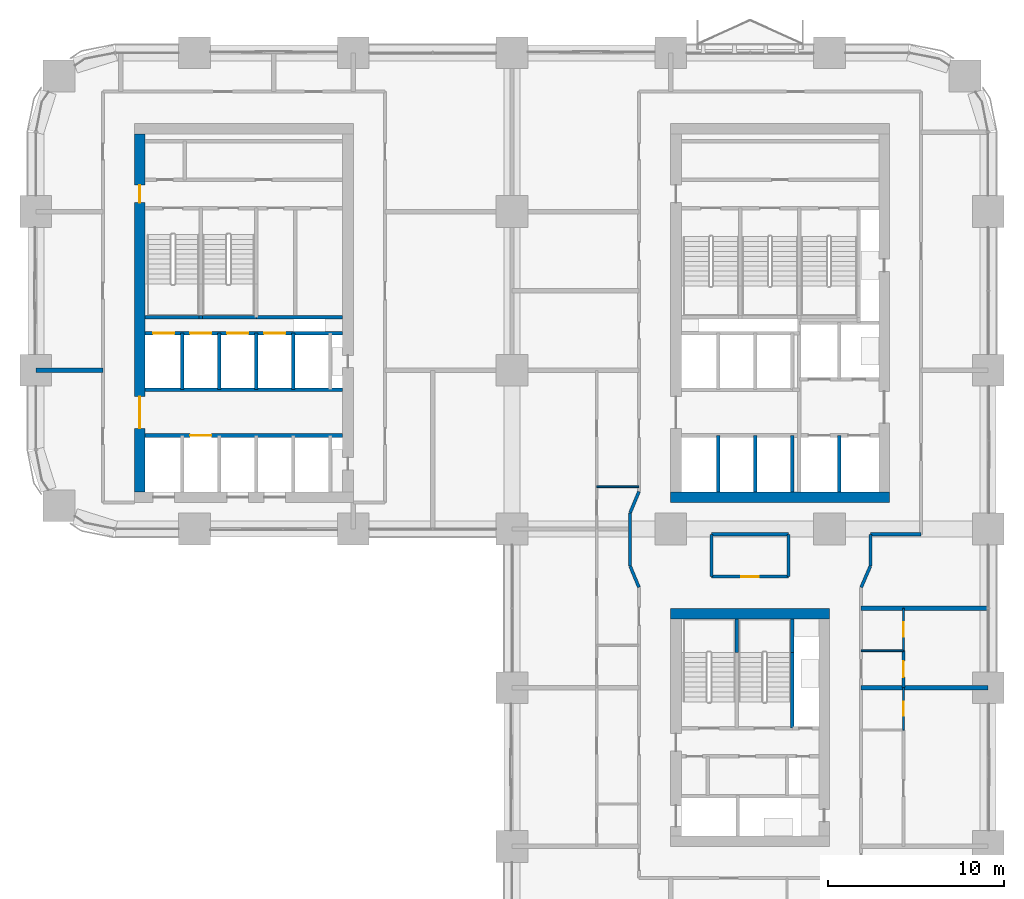
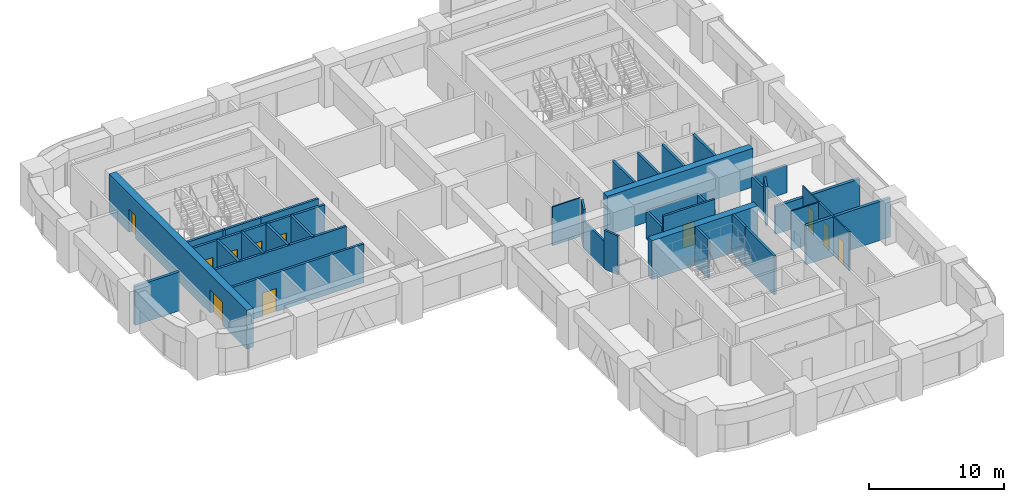
# One storey, part 13 of 26: 39 walls, 11 doors, 11 openings.
"""IFC4 building model written with IfcOpenShell, lengths in metres."""

from ifc_helpers import new_model, si_unit, direction, frame, frame_2d, origin, place, context, subcontext, project, spatial, rectangle, extrude, material, layer, layer_set, type_object, element, fill, save


model = new_model("IFC4")

# Units and contexts
model_context = context("Model", 3, precision=1e-05, world=origin(), true_north=direction((0.0, 1.0)))
body_context = subcontext(model_context, "Body", "Model", "MODEL_VIEW")
ifc_project = project(units=[si_unit("LENGTHUNIT", "METRE"), si_unit("AREAUNIT", "SQUARE_METRE"), si_unit("VOLUMEUNIT", "CUBIC_METRE"), si_unit("PLANEANGLEUNIT", "RADIAN"), si_unit("MASSUNIT", "GRAM", prefix="KILO")], contexts=[model_context])

# Site, building, storey
site_placement = place(None, origin())
site = spatial("IfcSite", under=ifc_project, at=site_placement, CompositionType="ELEMENT")
building_placement = place(site_placement, origin())
building = spatial("IfcBuilding", under=site, at=building_placement, Name="Tessera Arch", CompositionType="ELEMENT")
storey_placement = place(building_placement, frame((0.0, 0.0, 96.800048828125)))
storey = spatial("IfcBuildingStorey", under=building, at=storey_placement, Name="L22", CompositionType="ELEMENT", Elevation=96.800048828125)

# Wall
ifc_material_1 = material(Name="Concrete C70/85", Category="concrete")
ifc_layer_1 = layer(ifc_material_1, 0.60009765625)
ifc_layer_set_1 = layer_set([ifc_layer_1], Name="Core shell wall 600 C70-85")
wall_type_1 = type_object("IfcWallType", Name="Core shell wall 600 C70-85", PredefinedType="SHEAR", material=ifc_layer_set_1)
wall_1_placement = place(storey_placement, frame((36.0, 28.800048828125, 0.0), z_axis=(0.0, 0.0, 1.0), x_axis=(1.0, 0.0, 0.0)))
element("IfcWall", 1, at=wall_1_placement, inside=storey, type_object=wall_type_1, Name="L22 C1 core wall S", PredefinedType="SHEAR", context=body_context, shape_type="SweptSolid", body=[
    extrude(rectangle(XDim=12.39990234375, YDim=0.60009765625, at=frame_2d((6.199951171875, 0.0))), origin(), (0.0, 0.0, 1.0), 3.5),
])

# Wall, openings, doors
wall_2_placement = place(storey_placement, frame((5.89990234375, 29.10009765625, 0.0), z_axis=(0.0, 0.0, 1.0), x_axis=(0.0, 1.0, 0.0)))
wall_2 = element("IfcWall", 2, at=wall_2_placement, inside=storey, type_object=wall_type_1, Name="L22 C2 core wall W", PredefinedType="SHEAR", context=body_context, shape_type="SweptSolid", body=[
    extrude(rectangle(XDim=20.2998046875, YDim=0.60009765625, at=frame_2d((10.14990234375, 0.0))), origin(), (0.0, 0.0, 1.0), 3.5),
])
opening_1_placement = place(wall_2_placement, frame((3.60009765625, 0.0, 0.0)))
opening_1 = element("IfcOpeningElement", 3, at=opening_1_placement, cuts=wall_2, Name="Opening L22-C23", PredefinedType="OPENING", context=body_context, shape_type="SweptSolid", body=[
    extrude(rectangle(XDim=1.800048828125, YDim=2.10009765625, at=frame_2d((0.89990234375, 1.050048828125))), frame((0.0, 0.31005859375, 0.0), z_axis=(0.0, -1.0, 0.0), x_axis=(1.0, 0.0, 0.0)), (0.0, 0.0, 1.0), 0.6201171875),
])
opening_2_placement = place(wall_2_placement, frame((16.39990234375, 0.0, 0.0)))
opening_2 = element("IfcOpeningElement", 4, at=opening_2_placement, cuts=wall_2, Name="Opening L22-C26", PredefinedType="OPENING", context=body_context, shape_type="SweptSolid", body=[
    extrude(rectangle(XDim=1.0, YDim=2.10009765625, at=frame_2d((0.5, 1.050048828125))), frame((0.0, 0.31005859375, 0.0), z_axis=(0.0, -1.0, 0.0), x_axis=(1.0, 0.0, 0.0)), (0.0, 0.0, 1.0), 0.6201171875),
])
ifc_material_2 = material(Name="Steel door leaf", Category="steel")
door_type_1 = type_object("IfcDoorType", Name="Corridor door FD60 1000 x 2100", OperationType="SINGLE_SWING_LEFT", PredefinedType="DOOR", material=ifc_material_2)
door_1_placement = place(opening_2_placement, origin())
door_1 = element("IfcDoor", 5, at=door_1_placement, inside=storey, type_object=door_type_1, Name="L22 C2 door 14 C26 type D12", OperationType="SINGLE_SWING_RIGHT", OverallHeight=2.10009765625, OverallWidth=1.0, PredefinedType="DOOR", context=body_context, shape_type="SweptSolid", body=[
    extrude(rectangle(XDim=1.0, YDim=2.10009765625, at=frame_2d((0.5, 1.050048828125))), frame((0.0, 0.02490234375, 0.0), z_axis=(0.0, -1.0, 0.0), x_axis=(1.0, 0.0, 0.0)), (0.0, 0.0, 1.0), 0.050048828125),
])
fill(opening_2, door_1)
ifc_material_3 = material(Name="Glazed steel door leaf", Category="steel")
door_type_2 = type_object("IfcDoorType", Name="Lobby double door FD30S 1800 x 2100", OperationType="DOUBLE_DOOR_SINGLE_SWING", PredefinedType="DOOR", material=ifc_material_3)
door_2_placement = place(opening_1_placement, origin())
door_2 = element("IfcDoor", 6, at=door_2_placement, inside=storey, type_object=door_type_2, Name="L22 C2 door 11 C23 type D06", OperationType="DOUBLE_DOOR_SINGLE_SWING", OverallHeight=2.10009765625, OverallWidth=1.800048828125, PredefinedType="DOOR", context=body_context, shape_type="SweptSolid", body=[
    extrude(rectangle(XDim=1.800048828125, YDim=2.10009765625, at=frame_2d((0.89990234375, 1.050048828125))), frame((0.0, 0.02490234375, 0.0), z_axis=(0.0, -1.0, 0.0), x_axis=(1.0, 0.0, 0.0)), (0.0, 0.0, 1.0), 0.050048828125),
])
fill(opening_1, door_2)

# Wall
wall_3_placement = place(storey_placement, frame((36.0, 22.199951171875, 0.0), z_axis=(0.0, 0.0, 1.0), x_axis=(1.0, 0.0, 0.0)))
element("IfcWall", 7, at=wall_3_placement, inside=storey, type_object=wall_type_1, Name="L22 C3 core wall N", PredefinedType="SHEAR", context=body_context, shape_type="SweptSolid", body=[
    extrude(rectangle(XDim=9.0, YDim=0.60009765625, at=frame_2d((4.5, 0.0))), origin(), (0.0, 0.0, 1.0), 3.5),
])

# Wall, opening, door
ifc_material_4 = material(Name="Gypsum board on deep steel stud with mineral wool", Category="steel")
ifc_layer_2 = layer(ifc_material_4, 0.175048828125)
ifc_layer_set_2 = layer_set([ifc_layer_2], Name="Corridor wall 175 EI 60")
wall_type_2 = type_object("IfcWallType", Name="Corridor wall 175 EI 60", PredefinedType="PARTITIONING", material=ifc_layer_set_2)
wall_4_placement = place(storey_placement, frame((38.320068359375, 24.300048828125, 0.0), z_axis=(0.0, 0.0, 1.0), x_axis=(1.0, 0.0, 0.0)))
wall_4 = element("IfcWall", 8, at=wall_4_placement, inside=storey, type_object=wall_type_2, Name="L22 partition 2", PredefinedType="PARTITIONING", context=body_context, shape_type="SweptSolid", body=[
    extrude(rectangle(XDim=4.35986328125, YDim=0.175048828125, at=frame_2d((2.179931640625, 0.0))), origin(), (0.0, 0.0, 1.0), 3.5),
])
opening_3_placement = place(wall_4_placement, frame((1.679931640625, 0.0, 0.0)))
opening_3 = element("IfcOpeningElement", 9, at=opening_3_placement, cuts=wall_4, Name="Opening L22-D018", PredefinedType="OPENING", context=body_context, shape_type="SweptSolid", body=[
    extrude(rectangle(XDim=1.0, YDim=2.10009765625, at=frame_2d((0.5, 1.050048828125))), frame((0.0, 0.097412109375, 0.0), z_axis=(0.0, -1.0, 0.0), x_axis=(1.0, 0.0, 0.0)), (0.0, 0.0, 1.0), 0.195068359375),
])
ifc_material_5 = material(Name="Fire-rated door leaf")
door_type_3 = type_object("IfcDoorType", Name="Entrance door FD30S 1000 x 2100", OperationType="SINGLE_SWING_LEFT", PredefinedType="DOOR", material=ifc_material_5)
door_3_placement = place(opening_3_placement, origin())
door_3 = element("IfcDoor", 10, at=door_3_placement, inside=storey, type_object=door_type_3, Name="L22 door D018 type D03", OperationType="SINGLE_SWING_RIGHT", OverallHeight=2.10009765625, OverallWidth=1.0, PredefinedType="DOOR", context=body_context, shape_type="SweptSolid", body=[
    extrude(rectangle(XDim=1.0, YDim=2.10009765625, at=frame_2d((0.5, 1.050048828125))), frame((0.0, 0.02490234375, 0.0), z_axis=(0.0, -1.0, 0.0), x_axis=(1.0, 0.0, 0.0)), (0.0, 0.0, 1.0), 0.050048828125),
])
fill(opening_3, door_3)

# Walls
wall_5_placement = place(storey_placement, frame((38.320068359375, 26.699951171875, 0.0), z_axis=(0.0, 0.0, 1.0), x_axis=(1.0, 0.0, 0.0)))
element("IfcWall", 11, at=wall_5_placement, inside=storey, type_object=wall_type_2, Name="L22 partition 3", PredefinedType="PARTITIONING", context=body_context, shape_type="SweptSolid", body=[
    extrude(rectangle(XDim=4.35986328125, YDim=0.175048828125, at=frame_2d((2.179931640625, 0.0))), origin(), (0.0, 0.0, 1.0), 2.5),
])
wall_6_placement = place(storey_placement, frame((47.320068359375, 26.699951171875, 0.0), z_axis=(0.0, 0.0, 1.0), x_axis=(1.0, 0.0, 0.0)))
element("IfcWall", 12, at=wall_6_placement, inside=storey, type_object=wall_type_2, Name="L22 partition 4", PredefinedType="PARTITIONING", context=body_context, shape_type="SweptSolid", body=[
    extrude(rectangle(XDim=2.8798828125, YDim=0.175048828125, at=frame_2d((1.43994140625, 0.0))), origin(), (0.0, 0.0, 1.0), 2.5),
])
wall_7_placement = place(storey_placement, frame((33.699951171875, 24.889892578125, 0.0), z_axis=(0.0, 0.0, 1.0), x_axis=(0.0, 1.0, 0.0)))
element("IfcWall", 13, at=wall_7_placement, inside=storey, type_object=wall_type_2, Name="L22 partition 11", PredefinedType="PARTITIONING", context=body_context, shape_type="SweptSolid", body=[
    extrude(rectangle(XDim=3.030029296875, YDim=0.175048828125, at=frame_2d((1.51513671875, 0.0))), origin(), (0.0, 0.0, 1.0), 2.5),
])
for number, where, z_axis, x_axis, name in (
    (14, (38.320068359375, 24.300048828125, 0.0), (0.0, 0.0, 1.0), (0.0, 1.0, 0.0), "L22 partition 14"),
    (15, (42.679931640625, 24.300048828125, 0.0), (0.0, 0.0, 1.0), (0.0, 1.0, 0.0), "L22 partition 15"),
):
    element("IfcWall", number, at=place(storey_placement, frame(where, z_axis=z_axis, x_axis=x_axis)), inside=storey, type_object=wall_type_2, Name=name, PredefinedType="PARTITIONING", context=body_context, shape_type="SweptSolid", body=[
        extrude(rectangle(XDim=2.39990234375, YDim=0.175048828125, at=frame_2d((1.199951171875, 0.0))), origin(), (0.0, 0.0, 1.0), 2.5),
    ])
wall_8_placement = place(storey_placement, frame((47.320068359375, 24.889892578125, 0.0), z_axis=(0.0, 0.0, 1.0), x_axis=(0.0, 1.0, 0.0)))
element("IfcWall", 16, at=wall_8_placement, inside=storey, type_object=wall_type_2, Name="L22 partition 17", PredefinedType="PARTITIONING", context=body_context, shape_type="SweptSolid", body=[
    extrude(rectangle(XDim=1.81005859375, YDim=0.175048828125, at=frame_2d((0.905029296875, 0.0))), origin(), (0.0, 0.0, 1.0), 2.5),
])
wall_9_placement = place(storey_placement, frame((34.199951171875, 23.68994140625, 0.0), z_axis=(0.0, 0.0, 1.0), x_axis=(-0.384628719983, 0.923071366561, 0.0)))
element("IfcWall", 17, at=wall_9_placement, inside=storey, type_object=wall_type_2, Name="L22 partition 59", PredefinedType="PARTITIONING", context=body_context, shape_type="SweptSolid", body=[
    extrude(rectangle(XDim=1.300048828125, YDim=0.175048828125, at=frame_2d((0.64990234375, 0.0))), origin(), (0.0, 0.0, 1.0), 3.5),
])
wall_10_placement = place(storey_placement, frame((47.320068359375, 24.889892578125, 0.0), z_axis=(0.0, 0.0, 1.0), x_axis=(-0.397633632391, -0.917544273804, 0.0)))
element("IfcWall", 18, at=wall_10_placement, inside=storey, type_object=wall_type_2, Name="L22 partition 60", PredefinedType="PARTITIONING", context=body_context, shape_type="SweptSolid", body=[
    extrude(rectangle(XDim=1.307861328125, YDim=0.175048828125, at=frame_2d((0.65380859375, 0.0))), origin(), (0.0, 0.0, 1.0), 3.5),
])
wall_11_placement = place(storey_placement, frame((33.699951171875, 27.919921875, 0.0), z_axis=(0.0, 0.0, 1.0), x_axis=(0.384562051588, 0.923099143363, 0.0)))
element("IfcWall", 19, at=wall_11_placement, inside=storey, type_object=wall_type_2, Name="L22 partition 61", PredefinedType="PARTITIONING", context=body_context, shape_type="SweptSolid", body=[
    extrude(rectangle(XDim=1.30029296875, YDim=0.175048828125, at=frame_2d((0.650146484375, 0.0))), origin(), (0.0, 0.0, 1.0), 3.5),
])

# Wall, opening, door
ifc_material_6 = material(Name="Gypsum board on steel stud", Category="steel")
ifc_layer_3 = layer(ifc_material_6, 0.14990234375)
ifc_layer_set_3 = layer_set([ifc_layer_3], Name="Partition 150")
wall_type_3 = type_object("IfcWallType", Name="Partition 150", PredefinedType="PARTITIONING", material=ifc_layer_set_3)
wall_12_placement = place(storey_placement, frame((49.199951171875, 18.0, 0.0), z_axis=(0.0, 0.0, 1.0), x_axis=(0.0, 1.0, 0.0)))
wall_12 = element("IfcWall", 20, at=wall_12_placement, inside=storey, type_object=wall_type_3, Name="L22 partition 24", PredefinedType="PARTITIONING", context=body_context, shape_type="SweptSolid", body=[
    extrude(rectangle(XDim=2.10009765625, YDim=0.14990234375, at=frame_2d((1.050048828125, 0.0))), origin(), (0.0, 0.0, 1.0), 3.5),
])
opening_4_placement = place(wall_12_placement, frame((0.60009765625, 0.0, 0.0)))
opening_4 = element("IfcOpeningElement", 21, at=opening_4_placement, cuts=wall_12, Name="Opening L22-D013", PredefinedType="OPENING", context=body_context, shape_type="SweptSolid", body=[
    extrude(rectangle(XDim=0.89990234375, YDim=2.10009765625, at=frame_2d((0.449951171875, 1.050048828125))), frame((0.0, 0.0849609375, 0.0), z_axis=(0.0, -1.0, 0.0), x_axis=(1.0, 0.0, 0.0)), (0.0, 0.0, 1.0), 0.169921875),
])
ifc_material_7 = material(Name="Timber door leaf", Category="wood")
door_type_4 = type_object("IfcDoorType", Name="Room door 900 x 2100", OperationType="SINGLE_SWING_LEFT", PredefinedType="DOOR", material=ifc_material_7)
door_4_placement = place(opening_4_placement, origin())
door_4 = element("IfcDoor", 22, at=door_4_placement, inside=storey, type_object=door_type_4, Name="L22 door D013 type D01", OperationType="SINGLE_SWING_RIGHT", OverallHeight=2.10009765625, OverallWidth=0.89990234375, PredefinedType="DOOR", context=body_context, shape_type="SweptSolid", body=[
    extrude(rectangle(XDim=0.89990234375, YDim=2.10009765625, at=frame_2d((0.449951171875, 1.050048828125))), frame((0.0, 0.02490234375, 0.0), z_axis=(0.0, -1.0, 0.0), x_axis=(1.0, 0.0, 0.0)), (0.0, 0.0, 1.0), 0.050048828125),
])
fill(opening_4, door_4)

# Walls
ifc_material_8 = material(Name="Double gypsum board on twin steel stud with acoustic mineral wool", Category="steel")
ifc_layer_4 = layer(ifc_material_8, 0.25)
ifc_layer_set_4 = layer_set([ifc_layer_4], Name="Party wall 250 EI 60")
wall_type_4 = type_object("IfcWallType", Name="Party wall 250 EI 60", PredefinedType="PARTITIONING", material=ifc_layer_set_4)
wall_13_placement = place(storey_placement, frame((46.800048828125, 18.0, 0.0), z_axis=(0.0, 0.0, 1.0), x_axis=(1.0, 0.0, 0.0)))
element("IfcWall", 23, at=wall_13_placement, inside=storey, type_object=wall_type_4, Name="L22 partition 28", PredefinedType="PARTITIONING", context=body_context, shape_type="SweptSolid", body=[
    extrude(rectangle(XDim=7.199951171875, YDim=0.25, at=frame_2d((3.60009765625, 0.0))), origin(), (0.0, 0.0, 1.0), 3.5),
])
wall_14_placement = place(storey_placement, frame((46.800048828125, 22.5, 0.0), z_axis=(0.0, 0.0, 1.0), x_axis=(1.0, 0.0, 0.0)))
element("IfcWall", 24, at=wall_14_placement, inside=storey, type_object=wall_type_4, Name="L22 partition 29", PredefinedType="PARTITIONING", context=body_context, shape_type="SweptSolid", body=[
    extrude(rectangle(XDim=7.199951171875, YDim=0.25, at=frame_2d((3.60009765625, 0.0))), origin(), (0.0, 0.0, 1.0), 2.5),
])
wall_15_placement = place(storey_placement, frame((0.0, 36.0, 0.0), z_axis=(0.0, 0.0, 1.0), x_axis=(1.0, 0.0, 0.0)))
element("IfcWall", 25, at=wall_15_placement, inside=storey, type_object=wall_type_4, Name="L22 partition 31", PredefinedType="PARTITIONING", context=body_context, shape_type="SweptSolid", body=[
    extrude(rectangle(XDim=3.800048828125, YDim=0.25, at=frame_2d((1.89990234375, 0.0))), origin(), (0.0, 0.0, 1.0), 3.5),
])
ifc_material_9 = material(Name="Concrete C40/50", Category="concrete")
ifc_layer_5 = layer(ifc_material_9, 0.199951171875)
ifc_layer_set_5 = layer_set([ifc_layer_5], Name="Shaft wall 200 EI 120")
wall_type_5 = type_object("IfcWallType", Name="Shaft wall 200 EI 120", PredefinedType="SOLIDWALL", material=ifc_layer_set_5)
for number, where, z_axis, x_axis, name in (
    (26, (38.699951171875, 29.10009765625, 0.0), (0.0, 0.0, 1.0), (0.0, 1.0, 0.0), "L22 C1 shaft wall 1"),
    (27, (40.800048828125, 29.10009765625, 0.0), (0.0, 0.0, 1.0), (0.0, 1.0, 0.0), "L22 C1 shaft wall 5"),
    (28, (42.89990234375, 29.10009765625, 0.0), (0.0, 0.0, 1.0), (0.0, 1.0, 0.0), "L22 C1 shaft wall 7"),
    (29, (45.550048828125, 29.10009765625, 0.0), (0.0, 0.0, 1.0), (0.0, 1.0, 0.0), "L22 C1 shaft wall 12"),
):
    element("IfcWall", number, at=place(storey_placement, frame(where, z_axis=z_axis, x_axis=x_axis)), inside=storey, type_object=wall_type_5, Name=name, PredefinedType="SOLIDWALL", context=body_context, shape_type="SweptSolid", body=[
        extrude(rectangle(XDim=3.199951171875, YDim=0.199951171875, at=frame_2d((1.60009765625, 0.0))), origin(), (0.0, 0.0, 1.0), 3.5),
    ])
for number, where, z_axis, x_axis, name in (
    (30, (8.300048828125, 34.89990234375, 0.0), (0.0, 0.0, 1.0), (0.0, 1.0, 0.0), "L22 C2 shaft wall 2"),
    (31, (10.39990234375, 34.89990234375, 0.0), (0.0, 0.0, 1.0), (0.0, 1.0, 0.0), "L22 C2 shaft wall 7"),
    (32, (12.5, 34.89990234375, 0.0), (0.0, 0.0, 1.0), (0.0, 1.0, 0.0), "L22 C2 shaft wall 9"),
    (33, (14.60009765625, 34.89990234375, 0.0), (0.0, 0.0, 1.0), (0.0, 1.0, 0.0), "L22 C2 shaft wall 13"),
):
    element("IfcWall", number, at=place(storey_placement, frame(where, z_axis=z_axis, x_axis=x_axis)), inside=storey, type_object=wall_type_5, Name=name, PredefinedType="SOLIDWALL", context=body_context, shape_type="SweptSolid", body=[
        extrude(rectangle(XDim=3.2001953125, YDim=0.199951171875, at=frame_2d((1.60009765625, 0.0))), origin(), (0.0, 0.0, 1.0), 3.5),
    ])

# Wall, opening, door
wall_16_placement = place(storey_placement, frame((6.199951171875, 32.300048828125, 0.0), z_axis=(0.0, 0.0, 1.0), x_axis=(1.0, 0.0, 0.0)))
wall_16 = element("IfcWall", 34, at=wall_16_placement, inside=storey, type_object=wall_type_5, Name="L22 C2 shaft wall 17", PredefinedType="SOLIDWALL", context=body_context, shape_type="SweptSolid", body=[
    extrude(rectangle(XDim=11.199951171875, YDim=0.199951171875, at=frame_2d((5.60009765625, 0.0))), origin(), (0.0, 0.0, 1.0), 3.5),
])
opening_5_placement = place(wall_16_placement, frame((2.550048828125, 0.0, 0.0)))
opening_5 = element("IfcOpeningElement", 35, at=opening_5_placement, cuts=wall_16, Name="Opening L22-C14", PredefinedType="OPENING", context=body_context, shape_type="SweptSolid", body=[
    extrude(rectangle(XDim=1.199951171875, YDim=2.10009765625, at=frame_2d((0.60009765625, 1.050048828125))), frame((0.0, 0.10986328125, 0.0), z_axis=(0.0, -1.0, 0.0), x_axis=(1.0, 0.0, 0.0)), (0.0, 0.0, 1.0), 0.219970703125),
])
ifc_material_10 = material(Name="Stainless steel AISI 304", Category="steel")
door_type_5 = type_object("IfcDoorType", Name="Sliding landing door 1200 x 2100", OperationType="SLIDING_TO_LEFT", PredefinedType="DOOR", material=ifc_material_10)
door_5_placement = place(opening_5_placement, origin())
door_5 = element("IfcDoor", 36, at=door_5_placement, inside=storey, type_object=door_type_5, Name="L22 LR2 lift landing door C14 type LD", OperationType="SLIDING_TO_LEFT", OverallHeight=2.10009765625, OverallWidth=1.199951171875, PredefinedType="DOOR", context=body_context, shape_type="SweptSolid", body=[
    extrude(rectangle(XDim=1.199951171875, YDim=2.10009765625, at=frame_2d((0.60009765625, 1.050048828125))), frame((0.0, 0.02490234375, 0.0), z_axis=(0.0, -1.0, 0.0), x_axis=(1.0, 0.0, 0.0)), (0.0, 0.0, 1.0), 0.050048828125),
])
fill(opening_5, door_5)

# Wall
wall_17_placement = place(storey_placement, frame((6.199951171875, 34.89990234375, 0.0), z_axis=(0.0, 0.0, 1.0), x_axis=(1.0, 0.0, 0.0)))
element("IfcWall", 37, at=wall_17_placement, inside=storey, type_object=wall_type_5, Name="L22 C2 shaft wall 18", PredefinedType="SOLIDWALL", context=body_context, shape_type="SweptSolid", body=[
    extrude(rectangle(XDim=11.199951171875, YDim=0.199951171875, at=frame_2d((5.60009765625, 0.0))), origin(), (0.0, 0.0, 1.0), 3.5),
])

# Wall, openings, doors
wall_18_placement = place(storey_placement, frame((6.199951171875, 38.10009765625, 0.0), z_axis=(0.0, 0.0, 1.0), x_axis=(1.0, 0.0, 0.0)))
wall_18 = element("IfcWall", 38, at=wall_18_placement, inside=storey, type_object=wall_type_5, Name="L22 C2 shaft wall 19", PredefinedType="SOLIDWALL", context=body_context, shape_type="SweptSolid", body=[
    extrude(rectangle(XDim=11.199951171875, YDim=0.199951171875, at=frame_2d((5.60009765625, 0.0))), origin(), (0.0, 0.0, 1.0), 3.5),
])
opening_6_placement = place(wall_18_placement, frame((0.449951171875, 0.0, 0.0)))
opening_6 = element("IfcOpeningElement", 39, at=opening_6_placement, cuts=wall_18, Name="Opening L22-C17", PredefinedType="OPENING", context=body_context, shape_type="SweptSolid", body=[
    extrude(rectangle(XDim=1.199951171875, YDim=2.10009765625, at=frame_2d((0.60009765625, 1.050048828125))), frame((0.0, 0.10986328125, 0.0), z_axis=(0.0, -1.0, 0.0), x_axis=(1.0, 0.0, 0.0)), (0.0, 0.0, 1.0), 0.219970703125),
])
opening_7_placement = place(wall_18_placement, frame((2.550048828125, 0.0, 0.0)))
opening_7 = element("IfcOpeningElement", 40, at=opening_7_placement, cuts=wall_18, Name="Opening L22-C18", PredefinedType="OPENING", context=body_context, shape_type="SweptSolid", body=[
    extrude(rectangle(XDim=1.199951171875, YDim=2.10009765625, at=frame_2d((0.60009765625, 1.050048828125))), frame((0.0, 0.10986328125, 0.0), z_axis=(0.0, -1.0, 0.0), x_axis=(1.0, 0.0, 0.0)), (0.0, 0.0, 1.0), 0.219970703125),
])
opening_8_placement = place(wall_18_placement, frame((4.64990234375, 0.0, 0.0)))
opening_8 = element("IfcOpeningElement", 41, at=opening_8_placement, cuts=wall_18, Name="Opening L22-C19", PredefinedType="OPENING", context=body_context, shape_type="SweptSolid", body=[
    extrude(rectangle(XDim=1.199951171875, YDim=2.10009765625, at=frame_2d((0.60009765625, 1.050048828125))), frame((0.0, 0.10986328125, 0.0), z_axis=(0.0, -1.0, 0.0), x_axis=(1.0, 0.0, 0.0)), (0.0, 0.0, 1.0), 0.219970703125),
])
opening_9_placement = place(wall_18_placement, frame((6.75, 0.0, 0.0)))
opening_9 = element("IfcOpeningElement", 42, at=opening_9_placement, cuts=wall_18, Name="Opening L22-C20", PredefinedType="OPENING", context=body_context, shape_type="SweptSolid", body=[
    extrude(rectangle(XDim=1.199951171875, YDim=2.10009765625, at=frame_2d((0.60009765625, 1.050048828125))), frame((0.0, 0.10986328125, 0.0), z_axis=(0.0, -1.0, 0.0), x_axis=(1.0, 0.0, 0.0)), (0.0, 0.0, 1.0), 0.219970703125),
])
door_6_placement = place(opening_6_placement, origin())
door_6 = element("IfcDoor", 43, at=door_6_placement, inside=storey, type_object=door_type_5, Name="L22 LR5 lift landing door C17 type LD", OperationType="SLIDING_TO_LEFT", OverallHeight=2.10009765625, OverallWidth=1.199951171875, PredefinedType="DOOR", context=body_context, shape_type="SweptSolid", body=[
    extrude(rectangle(XDim=1.199951171875, YDim=2.10009765625, at=frame_2d((0.60009765625, 1.050048828125))), frame((0.0, 0.02490234375, 0.0), z_axis=(0.0, -1.0, 0.0), x_axis=(1.0, 0.0, 0.0)), (0.0, 0.0, 1.0), 0.050048828125),
])
fill(opening_6, door_6)
door_7_placement = place(opening_7_placement, origin())
door_7 = element("IfcDoor", 44, at=door_7_placement, inside=storey, type_object=door_type_5, Name="L22 LR6 lift landing door C18 type LD", OperationType="SLIDING_TO_LEFT", OverallHeight=2.10009765625, OverallWidth=1.199951171875, PredefinedType="DOOR", context=body_context, shape_type="SweptSolid", body=[
    extrude(rectangle(XDim=1.199951171875, YDim=2.10009765625, at=frame_2d((0.60009765625, 1.050048828125))), frame((0.0, 0.02490234375, 0.0), z_axis=(0.0, -1.0, 0.0), x_axis=(1.0, 0.0, 0.0)), (0.0, 0.0, 1.0), 0.050048828125),
])
fill(opening_7, door_7)
door_8_placement = place(opening_8_placement, origin())
door_8 = element("IfcDoor", 45, at=door_8_placement, inside=storey, type_object=door_type_5, Name="L22 LR7 lift landing door C19 type LD", OperationType="SLIDING_TO_LEFT", OverallHeight=2.10009765625, OverallWidth=1.199951171875, PredefinedType="DOOR", context=body_context, shape_type="SweptSolid", body=[
    extrude(rectangle(XDim=1.199951171875, YDim=2.10009765625, at=frame_2d((0.60009765625, 1.050048828125))), frame((0.0, 0.02490234375, 0.0), z_axis=(0.0, -1.0, 0.0), x_axis=(1.0, 0.0, 0.0)), (0.0, 0.0, 1.0), 0.050048828125),
])
fill(opening_8, door_8)
door_9_placement = place(opening_9_placement, origin())
door_9 = element("IfcDoor", 46, at=door_9_placement, inside=storey, type_object=door_type_5, Name="L22 LR8 lift landing door C20 type LD", OperationType="SLIDING_TO_LEFT", OverallHeight=2.10009765625, OverallWidth=1.199951171875, PredefinedType="DOOR", context=body_context, shape_type="SweptSolid", body=[
    extrude(rectangle(XDim=1.199951171875, YDim=2.10009765625, at=frame_2d((0.60009765625, 1.050048828125))), frame((0.0, 0.02490234375, 0.0), z_axis=(0.0, -1.0, 0.0), x_axis=(1.0, 0.0, 0.0)), (0.0, 0.0, 1.0), 0.050048828125),
])
fill(opening_9, door_9)

# Walls
wall_19_placement = place(storey_placement, frame((12.5, 39.0, 0.0), z_axis=(0.0, 0.0, 1.0), x_axis=(1.0, 0.0, 0.0)))
element("IfcWall", 47, at=wall_19_placement, inside=storey, type_object=wall_type_5, Name="L22 C2 shaft wall 20", PredefinedType="SOLIDWALL", context=body_context, shape_type="SweptSolid", body=[
    extrude(rectangle(XDim=4.89990234375, YDim=0.199951171875, at=frame_2d((2.449951171875, 0.0))), origin(), (0.0, 0.0, 1.0), 3.5),
])
ifc_material_11 = material(Name="Concrete C40/50", Category="concrete")
ifc_layer_6 = layer(ifc_material_11, 0.199951171875)
ifc_layer_set_6 = layer_set([ifc_layer_6], Name="Stair well wall 200 REI 180")
wall_type_6 = type_object("IfcWallType", Name="Stair well wall 200 REI 180", PredefinedType="SOLIDWALL", material=ifc_layer_set_6)
wall_20_placement = place(storey_placement, frame((6.199951171875, 39.0, 0.0), z_axis=(0.0, 0.0, 1.0), x_axis=(1.0, 0.0, 0.0)))
element("IfcWall", 48, at=wall_20_placement, inside=storey, type_object=wall_type_6, Name="L22 C2 shaft wall 21", PredefinedType="SOLIDWALL", context=body_context, shape_type="SweptSolid", body=[
    extrude(rectangle(XDim=3.050048828125, YDim=0.199951171875, at=frame_2d((1.52490234375, 0.0))), origin(), (0.0, 0.0, 1.0), 3.5),
])
wall_21_placement = place(storey_placement, frame((9.25, 39.0, 0.0), z_axis=(0.0, 0.0, 1.0), x_axis=(1.0, 0.0, 0.0)))
element("IfcWall", 49, at=wall_21_placement, inside=storey, type_object=wall_type_6, Name="L22 C2 shaft wall 22", PredefinedType="SOLIDWALL", context=body_context, shape_type="SweptSolid", body=[
    extrude(rectangle(XDim=0.199951171875, YDim=0.199951171875, at=frame_2d((0.10009765625, 0.0))), origin(), (0.0, 0.0, 1.0), 3.5),
])
wall_22_placement = place(storey_placement, frame((9.449951171875, 39.0, 0.0), z_axis=(0.0, 0.0, 1.0), x_axis=(1.0, 0.0, 0.0)))
element("IfcWall", 50, at=wall_22_placement, inside=storey, type_object=wall_type_6, Name="L22 C2 shaft wall 23", PredefinedType="SOLIDWALL", context=body_context, shape_type="SweptSolid", body=[
    extrude(rectangle(XDim=3.050048828125, YDim=0.199951171875, at=frame_2d((1.52490234375, 0.0))), origin(), (0.0, 0.0, 1.0), 3.5),
])
wall_23_placement = place(storey_placement, frame((39.75, 20.0, 0.0), z_axis=(0.0, 0.0, 1.0), x_axis=(0.0, 1.0, 0.0)))
element("IfcWall", 51, at=wall_23_placement, inside=storey, type_object=wall_type_6, Name="L22 C3 shaft wall 3", PredefinedType="SOLIDWALL", context=body_context, shape_type="SweptSolid", body=[
    extrude(rectangle(XDim=1.89990234375, YDim=0.199951171875, at=frame_2d((0.949951171875, 0.0))), origin(), (0.0, 0.0, 1.0), 3.5),
])
wall_24_placement = place(storey_placement, frame((42.89990234375, 15.699951171875, 0.0), z_axis=(0.0, 0.0, 1.0), x_axis=(0.0, 1.0, 0.0)))
element("IfcWall", 52, at=wall_24_placement, inside=storey, type_object=wall_type_6, Name="L22 C3 shaft wall 6", PredefinedType="SOLIDWALL", context=body_context, shape_type="SweptSolid", body=[
    extrude(rectangle(XDim=4.300048828125, YDim=0.199951171875, at=frame_2d((2.14990234375, 0.0))), origin(), (0.0, 0.0, 1.0), 3.5),
])
wall_25_placement = place(storey_placement, frame((42.89990234375, 20.0, 0.0), z_axis=(0.0, 0.0, 1.0), x_axis=(0.0, 1.0, 0.0)))
element("IfcWall", 53, at=wall_25_placement, inside=storey, type_object=wall_type_6, Name="L22 C3 shaft wall 7", PredefinedType="SOLIDWALL", context=body_context, shape_type="SweptSolid", body=[
    extrude(rectangle(XDim=1.89990234375, YDim=0.199951171875, at=frame_2d((0.949951171875, 0.0))), origin(), (0.0, 0.0, 1.0), 3.5),
])
ifc_material_12 = material(Name="Moisture-resistant board on pre-plumbed steel stud", Category="steel")
ifc_layer_7 = layer(ifc_material_12, 0.10009765625)
ifc_layer_set_7 = layer_set([ifc_layer_7], Name="Wet wall 100")
wall_type_7 = type_object("IfcWallType", Name="Wet wall 100", PredefinedType="PARTITIONING", material=ifc_layer_set_7)
for number, where, z_axis, x_axis, name in (
    (54, (46.800048828125, 20.10009765625, 0.0), (0.0, 0.0, 1.0), (1.0, 0.0, 0.0), "L22 partition 50"),
    (55, (31.800048828125, 29.39990234375, 0.0), (0.0, 0.0, 1.0), (1.0, 0.0, 0.0), "L22 partition 52"),
):
    element("IfcWall", number, at=place(storey_placement, frame(where, z_axis=z_axis, x_axis=x_axis)), inside=storey, type_object=wall_type_7, Name=name, PredefinedType="PARTITIONING", context=body_context, shape_type="SweptSolid", body=[
        extrude(rectangle(XDim=2.39990234375, YDim=0.10009765625, at=frame_2d((1.199951171875, 0.0))), origin(), (0.0, 0.0, 1.0), 3.5),
    ])

# Wall, opening, door
wall_26_placement = place(storey_placement, frame((49.199951171875, 15.60009765625, 0.0), z_axis=(0.0, 0.0, 1.0), x_axis=(0.0, 1.0, 0.0)))
wall_26 = element("IfcWall", 56, at=wall_26_placement, inside=storey, type_object=wall_type_7, Name="L22 partition 57", PredefinedType="PARTITIONING", context=body_context, shape_type="SweptSolid", body=[
    extrude(rectangle(XDim=2.39990234375, YDim=0.10009765625, at=frame_2d((1.199951171875, 0.0))), origin(), (0.0, 0.0, 1.0), 3.5),
])
opening_10_placement = place(wall_26_placement, frame((0.800048828125, 0.0, 0.0)))
opening_10 = element("IfcOpeningElement", 57, at=opening_10_placement, cuts=wall_26, Name="Opening L22-D011", PredefinedType="OPENING", context=body_context, shape_type="SweptSolid", body=[
    extrude(rectangle(XDim=0.800048828125, YDim=2.10009765625, at=frame_2d((0.39990234375, 1.050048828125))), frame((0.0, 0.06005859375, 0.0), z_axis=(0.0, -1.0, 0.0), x_axis=(1.0, 0.0, 0.0)), (0.0, 0.0, 1.0), 0.1201171875),
])
ifc_material_13 = material(Name="Timber door leaf", Category="wood")
door_type_6 = type_object("IfcDoorType", Name="En-suite door 800 x 2100", OperationType="SINGLE_SWING_LEFT", PredefinedType="DOOR", material=ifc_material_13)
door_10_placement = place(opening_10_placement, origin())
door_10 = element("IfcDoor", 58, at=door_10_placement, inside=storey, type_object=door_type_6, Name="L22 door D011 type D02", OperationType="SINGLE_SWING_RIGHT", OverallHeight=2.10009765625, OverallWidth=0.800048828125, PredefinedType="DOOR", context=body_context, shape_type="SweptSolid", body=[
    extrude(rectangle(XDim=0.800048828125, YDim=2.10009765625, at=frame_2d((0.39990234375, 1.050048828125))), frame((0.0, 0.02490234375, 0.0), z_axis=(0.0, -1.0, 0.0), x_axis=(1.0, 0.0, 0.0)), (0.0, 0.0, 1.0), 0.050048828125),
])
fill(opening_10, door_10)

wall_27_placement = place(storey_placement, frame((49.199951171875, 20.10009765625, 0.0), z_axis=(0.0, 0.0, 1.0), x_axis=(0.0, 1.0, 0.0)))
wall_27 = element("IfcWall", 59, at=wall_27_placement, inside=storey, type_object=wall_type_7, Name="L22 partition 58", PredefinedType="PARTITIONING", context=body_context, shape_type="SweptSolid", body=[
    extrude(rectangle(XDim=2.39990234375, YDim=0.10009765625, at=frame_2d((1.199951171875, 0.0))), origin(), (0.0, 0.0, 1.0), 3.5),
])
opening_11_placement = place(wall_27_placement, frame((0.800048828125, 0.0, 0.0)))
opening_11 = element("IfcOpeningElement", 60, at=opening_11_placement, cuts=wall_27, Name="Opening L22-D014", PredefinedType="OPENING", context=body_context, shape_type="SweptSolid", body=[
    extrude(rectangle(XDim=0.800048828125, YDim=2.10009765625, at=frame_2d((0.39990234375, 1.050048828125))), frame((0.0, 0.06005859375, 0.0), z_axis=(0.0, -1.0, 0.0), x_axis=(1.0, 0.0, 0.0)), (0.0, 0.0, 1.0), 0.1201171875),
])
door_11_placement = place(opening_11_placement, origin())
door_11 = element("IfcDoor", 61, at=door_11_placement, inside=storey, type_object=door_type_6, Name="L22 door D014 type D02", OperationType="SINGLE_SWING_LEFT", OverallHeight=2.10009765625, OverallWidth=0.800048828125, PredefinedType="DOOR", context=body_context, shape_type="SweptSolid", body=[
    extrude(rectangle(XDim=0.800048828125, YDim=2.10009765625, at=frame_2d((0.39990234375, 1.050048828125))), frame((0.0, 0.02490234375, 0.0), z_axis=(0.0, -1.0, 0.0), x_axis=(1.0, 0.0, 0.0)), (0.0, 0.0, 1.0), 0.050048828125),
])
fill(opening_11, door_11)

save(model, "model.ifc")
